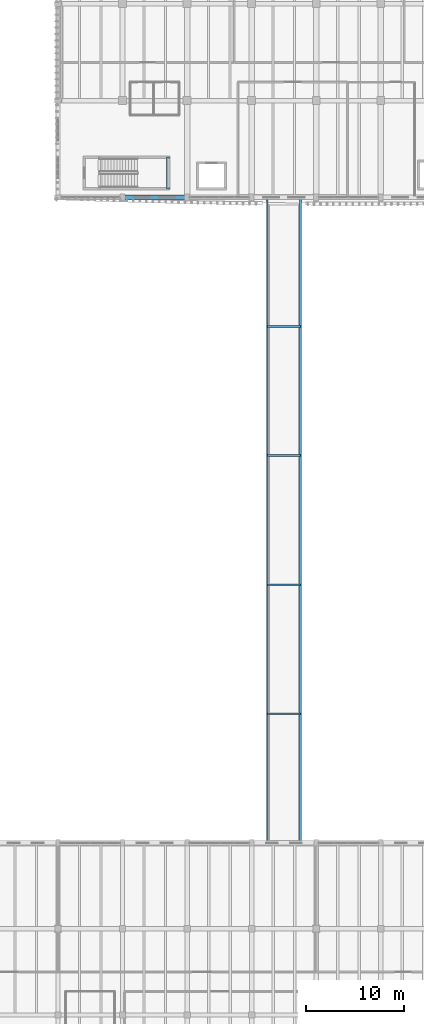
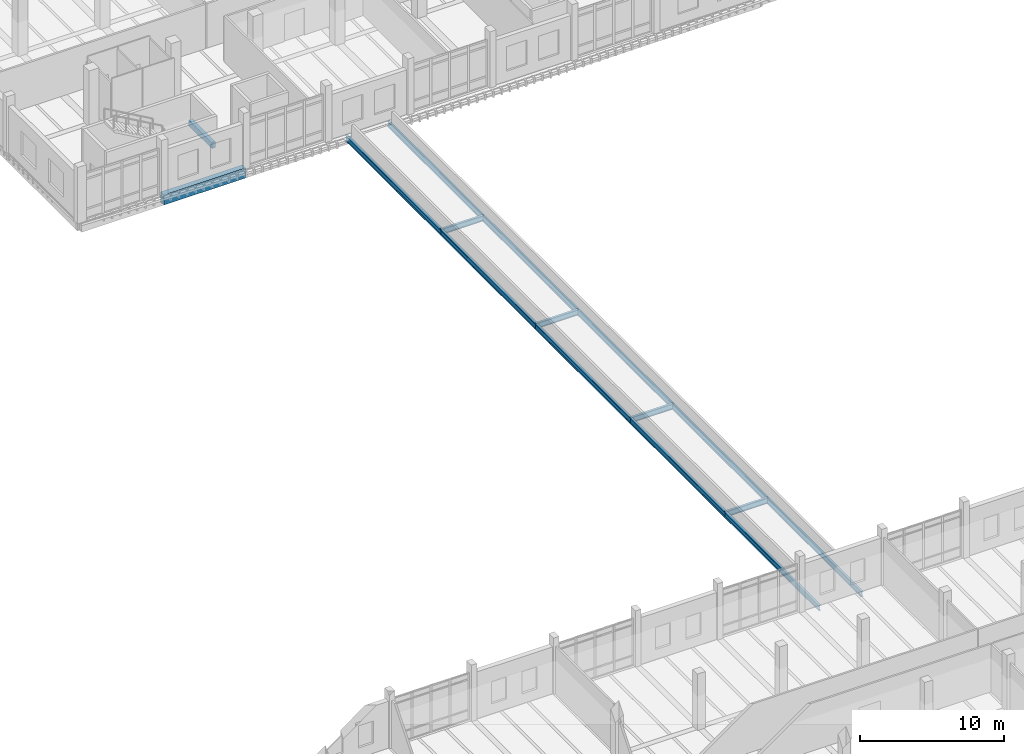
# One storey, part 40 of 101: 16 beams.
"""IFC4 building model written with IfcOpenShell, lengths in metres."""

import ifcopenshell
import ifcopenshell.guid

model = None  # the IFC model being written
_history = None  # IfcOwnerHistory: only IFC2X3 demands one
_inside = {}  # id of a spatial element -> (the spatial element, [elements in it])
_under = {}  # id of a project, library or spatial element -> (it, [spatial elements below it])
_declared = {}  # id of a project -> (the project, [libraries it declares])
_typed = {}  # id of a type object -> (the type object, [elements of that type])
_made_of = {}  # id of a material, layer set ... -> (it, [elements and type objects made of it])


def new_model(schema):
    """Start an empty IFC model of exactly this schema.

    Asked for "IFC4X3", IfcOpenShell would pick the latest addendum, in which some entities
    have other attributes; the version numbers below select the first issue.
    IFC2X3 requires an IfcOwnerHistory on every rooted entity: one is made here for all.
    """
    global model, _history
    if schema == "IFC4X3":
        model = ifcopenshell.file(schema_version=(4, 3, 0, 0))
    else:
        model = ifcopenshell.file(schema=schema)
    _inside.clear()
    _under.clear()
    _declared.clear()
    _typed.clear()
    _made_of.clear()
    _history = None
    if model.schema == "IFC2X3":
        org = make("IfcOrganization", Name="unknown")
        user = make(
            "IfcPersonAndOrganization",
            ThePerson=make("IfcPerson", FamilyName="unknown"),
            TheOrganization=org,
        )
        app = make(
            "IfcApplication",
            ApplicationDeveloper=org,
            Version="unknown",
            ApplicationFullName="unknown",
            ApplicationIdentifier="unknown",
        )
        _history = make(
            "IfcOwnerHistory",
            OwningUser=user,
            OwningApplication=app,
            ChangeAction="ADDED",
            CreationDate=0,
        )
    return model


def make(cls, **values):
    """One entity of the class cls with the attributes given. An attribute that is None is left unset."""
    return model.create_entity(
        cls, **{name: value for name, value in values.items() if value is not None}
    )


def rooted(cls, **values):
    """An entity with a GlobalId (a new one), such as an element, a storey or a relation."""
    return make(cls, GlobalId=ifcopenshell.guid.new(), OwnerHistory=_history, **values)


def si_unit(unit_type, name, prefix=None):
    """IfcSIUnit, for example si_unit("LENGTHUNIT", "METRE", prefix="MILLI")."""
    return make("IfcSIUnit", UnitType=unit_type, Prefix=prefix, Name=name)


def assignment(units):
    """IfcUnitAssignment: the units of a project."""
    return None if units is None else make("IfcUnitAssignment", Units=units)


def point(xyz):
    """IfcCartesianPoint."""
    return None if xyz is None else make("IfcCartesianPoint", Coordinates=xyz)


def direction(xyz):
    """IfcDirection."""
    return None if xyz is None else make("IfcDirection", DirectionRatios=xyz)


def frame(location, z_axis=None, x_axis=None):
    """IfcAxis2Placement3D, a coordinate frame: its origin and axes. An axis left out is left unset."""
    return make(
        "IfcAxis2Placement3D",
        Location=point(location),
        Axis=direction(z_axis),
        RefDirection=direction(x_axis),
    )


def frame_2d(location, x_axis=None):
    """IfcAxis2Placement2D, a coordinate frame in the plane: its origin and x axis."""
    return make(
        "IfcAxis2Placement2D", Location=point(location), RefDirection=direction(x_axis)
    )


def origin():
    """The frame at (0, 0, 0) with its axes left unset."""
    return frame((0.0, 0.0, 0.0))


def origin_2d():
    """The frame at (0, 0) in the plane with its x axis left unset."""
    return frame_2d((0.0, 0.0))


def place(relative_to, where):
    """IfcLocalPlacement: puts the frame where relative to a parent placement (None: the world)."""
    return make(
        "IfcLocalPlacement", PlacementRelTo=relative_to, RelativePlacement=where
    )


def context(
    kind, dimensions, precision=None, world=None, true_north=None, identifier=None
):
    """IfcGeometricRepresentationContext, for example the 3D "Model" context."""
    return make(
        "IfcGeometricRepresentationContext",
        ContextIdentifier=identifier,
        ContextType=kind,
        CoordinateSpaceDimension=dimensions,
        Precision=precision,
        WorldCoordinateSystem=world,
        TrueNorth=true_north,
    )


def subcontext(parent, identifier, kind, view, scale=None):
    """IfcGeometricRepresentationSubContext, for example "Body" below "Model"."""
    return make(
        "IfcGeometricRepresentationSubContext",
        ContextIdentifier=identifier,
        ContextType=kind,
        ParentContext=parent,
        TargetScale=scale,
        TargetView=view,
    )


def project(units=None, contexts=None):
    """IfcProject with its units and contexts."""
    return rooted(
        "IfcProject",
        Name="project",
        RepresentationContexts=contexts,
        UnitsInContext=assignment(units),
    )


def spatial(cls, under=None, at=None, **own):
    """A site, building, storey or space (cls), placed at a placement, below another one or the project."""
    s = rooted(cls, ObjectPlacement=at, **own)
    if under is not None:
        _under.setdefault(under.id(), (under, []))[1].append(s)
    return s


def profile(cls, at=None, kind="AREA", **sizes):
    """A parametric profile (cls). Its sizes go by their IFC names, for example OverallWidth=200.0."""
    return make(cls, ProfileType=kind, Position=at, **sizes)


def rectangle(**sizes):
    """IfcRectangleProfileDef."""
    return profile("IfcRectangleProfileDef", **sizes)


def i_section(**sizes):
    """IfcIShapeProfileDef."""
    return profile("IfcIShapeProfileDef", **sizes)


def extrude(swept, where, along, depth):
    """IfcExtrudedAreaSolid: the profile swept, set in the frame where, extruded along a direction by depth."""
    return make(
        "IfcExtrudedAreaSolid",
        SweptArea=swept,
        Position=where,
        ExtrudedDirection=direction(along),
        Depth=depth,
    )


def shape(context_of_items, identifier, shape_type, items):
    """IfcShapeRepresentation: the items that make up one representation, for example the "Body"."""
    return make(
        "IfcShapeRepresentation",
        ContextOfItems=context_of_items,
        RepresentationIdentifier=identifier,
        RepresentationType=shape_type,
        Items=items,
    )


def material(Name=None, Category=None):
    """IfcMaterial."""
    return make("IfcMaterial", Name=Name, Category=Category)


def material_profile(
    of_material, cross_section, Name=None, Category=None, Priority=None
):
    """IfcMaterialProfile: a cross section and its material."""
    return make(
        "IfcMaterialProfile",
        Name=Name,
        Material=of_material,
        Profile=cross_section,
        Priority=Priority,
        Category=Category,
    )


def profile_set(profiles, Name=None, composite=None):
    """IfcMaterialProfileSet."""
    return make(
        "IfcMaterialProfileSet",
        Name=Name,
        MaterialProfiles=profiles,
        CompositeProfile=composite,
    )


def made_of(thing, what):
    """Note that an element or type object is made of a material, layer set ...; save() writes the relation."""
    if what is not None:
        _made_of.setdefault(what.id(), (what, []))[1].append(thing)
    return thing


def type_object(cls, material=None, **own):
    """A type object (cls), such as IfcWallType, which elements share."""
    return made_of(rooted(cls, **own), material)


def element(
    cls,
    number,
    at=None,
    inside=None,
    cuts=None,
    type_object=None,
    material=None,
    context=None,
    identifier="Body",
    shape_type=None,
    held_by="IfcProductDefinitionShape",
    body=None,
    shapes=None,
    **own,
):
    """One element of the class cls, such as IfcWall. Its Tag is "e" and its number.

    at: its placement. inside: the storey or other place that contains it. cuts: it is an
    opening in that element (IfcRelVoidsElement). A single representation is given by context,
    identifier, shape_type and body (its items); several are given by shapes. held_by: the class
    of the entity that holds the representations. save() writes the other relations.
    """
    e = rooted(cls, Tag="e%d" % number, ObjectPlacement=at, **own)
    if body is not None:
        shapes = [shape(context, identifier, shape_type, body)]
    if shapes is not None:
        e.Representation = make(held_by, Representations=shapes)
    if inside is not None:
        _inside.setdefault(inside.id(), (inside, []))[1].append(e)
    if cuts is not None:
        rooted(
            "IfcRelVoidsElement", RelatingBuildingElement=cuts, RelatedOpeningElement=e
        )
    if type_object is not None:
        _typed.setdefault(type_object.id(), (type_object, []))[1].append(e)
    return made_of(e, material)


def aggregate(whole, parts):
    """IfcRelAggregates: a whole, such as a stair, and the parts it consists of."""
    return rooted("IfcRelAggregates", RelatingObject=whole, RelatedObjects=parts)


def save(model, path):
    """Write the relations noted so far, then the file.

    IfcRelAggregates (storeys below a building ...), IfcRelContainedInSpatialStructure (elements
    in a storey), IfcRelDefinesByType, IfcRelAssociatesMaterial and IfcRelDeclares: one each for
    every whole, place, type object, material and project.
    """
    for whole, parts in _under.values():
        aggregate(whole, parts)
    for where, things in _inside.values():
        rooted(
            "IfcRelContainedInSpatialStructure",
            RelatedElements=things,
            RelatingStructure=where,
        )
    for kind, things in _typed.values():
        rooted("IfcRelDefinesByType", RelatedObjects=things, RelatingType=kind)
    for what, things in _made_of.values():
        rooted("IfcRelAssociatesMaterial", RelatedObjects=things, RelatingMaterial=what)
    for by, libraries in _declared.values():
        rooted("IfcRelDeclares", RelatingContext=by, RelatedDefinitions=libraries)
    model.write(path)


model = new_model("IFC4")

# Units and contexts
model_context = context("Model", 3, precision=1e-05, world=origin(), true_north=direction((0.0, 1.0)))
body_context = subcontext(model_context, "Body", "Model", "MODEL_VIEW")
ifc_project = project(units=[si_unit("LENGTHUNIT", "METRE"), si_unit("AREAUNIT", "SQUARE_METRE"), si_unit("VOLUMEUNIT", "CUBIC_METRE"), si_unit("PLANEANGLEUNIT", "RADIAN"), si_unit("MASSUNIT", "GRAM", prefix="KILO")], contexts=[model_context])

# Site, building, storey
site_placement = place(None, origin())
site = spatial("IfcSite", under=ifc_project, at=site_placement, CompositionType="ELEMENT")
building_placement = place(site_placement, origin())
building = spatial("IfcBuilding", under=site, at=building_placement, Name="Dornvale Research Institute", CompositionType="ELEMENT")
storey_placement = place(building_placement, frame((0.0, 0.0, 10.199951171875)))
storey = spatial("IfcBuildingStorey", under=building, at=storey_placement, Name="L02", CompositionType="ELEMENT", Elevation=10.199951171875)

# Beams
ifc_material_1 = material(Name="Concrete f'c 45 MPa (C35/45)", Category="concrete")
ifc_material_profile_1 = material_profile(ifc_material_1, rectangle(XDim=0.300048828125, YDim=0.5, at=origin_2d()), Name="RC 300x500")
ifc_profile_set_1 = profile_set([ifc_material_profile_1], Name="Concrete f'c 45 MPa (C35/45)")
beam_type_1 = type_object("IfcBeamType", Name="Beam_RC300x500_Trim", PredefinedType="BEAM", material=ifc_profile_set_1)
beam_1_placement = place(storey_placement, frame((130.050048828125, 93.280029296875, 1.949951171875), z_axis=(0.0, 1.0, 0.0), x_axis=(-1.0, 0.0, 0.0)))
element("IfcBeam", 1, at=beam_1_placement, inside=storey, type_object=beam_type_1, Name="L02 ST-3 half-landing support beam #58", PredefinedType="BEAM", context=body_context, shape_type="SweptSolid", body=[
    extrude(rectangle(XDim=0.300048828125, YDim=0.5, at=origin_2d()), origin(), (0.0, 0.0, 1.0), 3.239990234375),
])
ifc_material_2 = material(Name="Steel ASTM A992 Grade 50", Category="steel")
ifc_material_profile_2 = material_profile(ifc_material_2, i_section(OverallWidth=0.19091796875, OverallDepth=0.4599609375, WebThickness=0.010009765625, FlangeThickness=0.01611328125, at=origin_2d()), Name="W18X55")
ifc_profile_set_2 = profile_set([ifc_material_profile_2], Name="Steel ASTM A992 Grade 50")
beam_type_2 = type_object("IfcBeamType", Name="Beam_Steel_W18X55_Canopy", PredefinedType="BEAM", material=ifc_profile_set_2)
for number, where, z_axis, x_axis, name in (
    (2, (140.199951171875, 26.39990234375, -0.409912109375), (0.0, 1.0, 0.0), (-1.0, 0.0, 0.0), "L02 BR-7 roof west beam #2026"),
    (3, (143.60009765625, 26.39990234375, -0.409912109375), (0.0, 1.0, 0.0), (-1.0, 0.0, 0.0), "L02 BR-7 roof east beam #2026"),
):
    element("IfcBeam", number, at=place(storey_placement, frame(where, z_axis=z_axis, x_axis=x_axis)), inside=storey, type_object=beam_type_2, Name=name, PredefinedType="BEAM", context=body_context, shape_type="SweptSolid", body=[
        extrude(i_section(OverallWidth=0.19091796875, OverallDepth=0.4599609375, WebThickness=0.010009765625, FlangeThickness=0.01611328125, at=origin_2d()), origin(), (0.0, 0.0, 1.0), 13.2001953125),
    ])
for number, where, z_axis, x_axis, name in (
    (4, (140.199951171875, 39.60009765625, -0.409912109375), (0.0, 1.0, 0.0), (-1.0, 0.0, 0.0), "L02 BR-7 roof west beam #2026"),
    (5, (143.60009765625, 39.60009765625, -0.409912109375), (0.0, 1.0, 0.0), (-1.0, 0.0, 0.0), "L02 BR-7 roof east beam #2026"),
    (6, (140.199951171875, 52.800048828125, -0.409912109375), (0.0, 1.0, 0.0), (-1.0, 0.0, 0.0), "L02 BR-7 roof west beam #2026"),
    (7, (143.60009765625, 52.800048828125, -0.409912109375), (0.0, 1.0, 0.0), (-1.0, 0.0, 0.0), "L02 BR-7 roof east beam #2026"),
    (8, (140.199951171875, 66.0, -0.409912109375), (0.0, 1.0, 0.0), (-1.0, 0.0, 0.0), "L02 BR-7 roof west beam #2026"),
    (9, (143.60009765625, 66.0, -0.409912109375), (0.0, 1.0, 0.0), (-1.0, 0.0, 0.0), "L02 BR-7 roof east beam #2026"),
    (10, (140.199951171875, 79.199951171875, -0.409912109375), (0.0, 1.0, 0.0), (-1.0, 0.0, 0.0), "L02 BR-7 roof west beam #2026"),
    (11, (143.60009765625, 79.199951171875, -0.409912109375), (0.0, 1.0, 0.0), (-1.0, 0.0, 0.0), "L02 BR-7 roof east beam #2026"),
):
    element("IfcBeam", number, at=place(storey_placement, frame(where, z_axis=z_axis, x_axis=x_axis)), inside=storey, type_object=beam_type_2, Name=name, PredefinedType="BEAM", context=body_context, shape_type="SweptSolid", body=[
        extrude(i_section(OverallWidth=0.19091796875, OverallDepth=0.4599609375, WebThickness=0.010009765625, FlangeThickness=0.01611328125, at=origin_2d()), origin(), (0.0, 0.0, 1.0), 13.199951171875),
    ])
for number, where, z_axis, x_axis, name in (
    (12, (140.199951171875, 39.60009765625, -0.409912109375), (1.0, 0.0, 0.0), (0.0, 1.0, 0.0), "L02 BR-7 roof portal tie #2026"),
    (13, (140.199951171875, 52.800048828125, -0.409912109375), (1.0, 0.0, 0.0), (0.0, 1.0, 0.0), "L02 BR-7 roof portal tie #2026"),
    (14, (140.199951171875, 66.0, -0.409912109375), (1.0, 0.0, 0.0), (0.0, 1.0, 0.0), "L02 BR-7 roof portal tie #2026"),
    (15, (140.199951171875, 79.199951171875, -0.409912109375), (1.0, 0.0, 0.0), (0.0, 1.0, 0.0), "L02 BR-7 roof portal tie #2026"),
):
    element("IfcBeam", number, at=place(storey_placement, frame(where, z_axis=z_axis, x_axis=x_axis)), inside=storey, type_object=beam_type_2, Name=name, PredefinedType="BEAM", context=body_context, shape_type="SweptSolid", body=[
        extrude(i_section(OverallWidth=0.19091796875, OverallDepth=0.4599609375, WebThickness=0.010009765625, FlangeThickness=0.01611328125, at=origin_2d()), origin(), (0.0, 0.0, 1.0), 3.400146484375),
    ])
ifc_material_3 = material(Name="Concrete f'c 45 MPa (C35/45)", Category="concrete")
ifc_material_profile_3 = material_profile(ifc_material_3, rectangle(XDim=0.449951171875, YDim=0.85009765625, at=origin_2d()), Name="RC 450x850")
ifc_profile_set_3 = profile_set([ifc_material_profile_3], Name="Concrete f'c 45 MPa (C35/45)")
beam_type_3 = type_object("IfcBeamType", Name="Spandrel_RC450x850_Ext", PredefinedType="SPANDREL", material=ifc_profile_set_3)
beam_2_placement = place(storey_placement, frame((125.39990234375, 92.39990234375, -0.425048828125), z_axis=(1.0, 0.0, 0.0), x_axis=(0.0, 1.0, 0.0)))
element("IfcBeam", 16, at=beam_2_placement, inside=storey, type_object=beam_type_3, Name="L02 perimeter spandrel #636", PredefinedType="SPANDREL", context=body_context, shape_type="SweptSolid", body=[
    extrude(rectangle(XDim=0.449951171875, YDim=0.85009765625, at=origin_2d()), origin(), (0.0, 0.0, 1.0), 6.60009765625),
])

save(model, "model.ifc")
